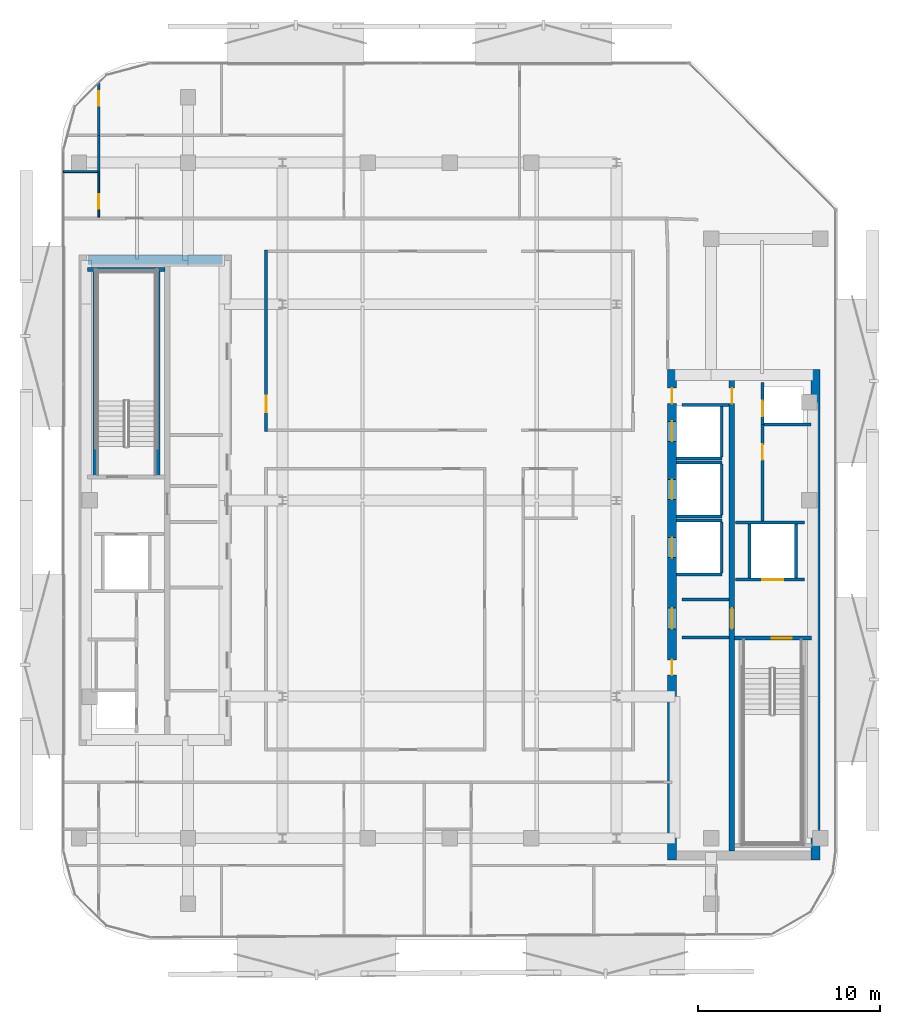
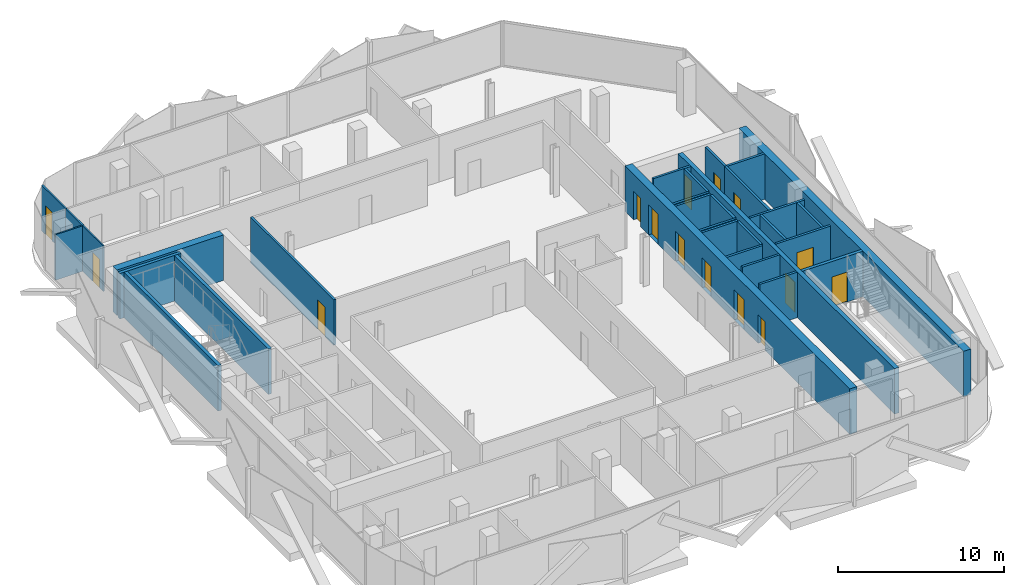
# One storey, part 5 of 15: 31 walls, 15 doors, 15 openings.
"""IFC4 building model written with IfcOpenShell, lengths in metres."""

from ifc_helpers import new_model, si_unit, direction, frame, frame_2d, origin, place, context, subcontext, project, spatial, rectangle, extrude, material, layer, layer_set, type_object, element, fill, save


model = new_model("IFC4")

# Units and contexts
model_context = context("Model", 3, precision=1e-05, world=origin(), true_north=direction((0.0, 1.0)))
body_context = subcontext(model_context, "Body", "Model", "MODEL_VIEW")
ifc_project = project(units=[si_unit("LENGTHUNIT", "METRE"), si_unit("AREAUNIT", "SQUARE_METRE"), si_unit("VOLUMEUNIT", "CUBIC_METRE"), si_unit("PLANEANGLEUNIT", "RADIAN"), si_unit("MASSUNIT", "GRAM", prefix="KILO")], contexts=[model_context])

# Site, building, storey
site_placement = place(None, origin())
site = spatial("IfcSite", under=ifc_project, at=site_placement, CompositionType="ELEMENT")
building_placement = place(site_placement, origin())
building = spatial("IfcBuilding", under=site, at=building_placement, Name="Khairoan Windgate Tower", CompositionType="ELEMENT")
storey_placement = place(building_placement, frame((0.0, 0.0, 265.60009765625)))
storey = spatial("IfcBuildingStorey", under=building, at=storey_placement, Name="L63", CompositionType="ELEMENT", Elevation=265.60009765625)

# Wall
ifc_material_1 = material(Name="Moisture-Resistant Gypsum Partition", Category="gypsum")
ifc_layer_1 = layer(ifc_material_1, 0.10009765625, Name="Moisture-Resistant Gypsum Partition")
ifc_layer_set_1 = layer_set([ifc_layer_1], Name="Moisture-Resistant Gypsum Partition")
wall_type_1 = type_object("IfcWallType", Name="Bathroom Wet-Area Partition Wall", PredefinedType="PARTITIONING", material=ifc_layer_set_1)
wall_1_placement = place(storey_placement, frame((-21.2548828125, 18.10009765625, 0.0), z_axis=(0.0, 0.0, 1.0), x_axis=(1.0, 0.0, 0.0)))
element("IfcWall", 1, at=wall_1_placement, inside=storey, type_object=wall_type_1, Name="L63 Interior Partition 035", PredefinedType="PARTITIONING", context=body_context, shape_type="SweptSolid", body=[
    extrude(rectangle(XDim=1.894775390625, YDim=0.10009765625, at=frame_2d((0.947265625, 0.0))), origin(), (0.0, 0.0, 1.0), 3.33984375),
])

# Wall, opening, door
wall_2_placement = place(storey_placement, frame((-19.31005859375, 15.60009765625, 0.0), z_axis=(0.0, 0.0, 1.0), x_axis=(0.0, 1.0, 0.0)))
wall_2 = element("IfcWall", 2, at=wall_2_placement, inside=storey, type_object=wall_type_1, Name="L63 Interior Partition 036", PredefinedType="PARTITIONING", context=body_context, shape_type="SweptSolid", body=[
    extrude(rectangle(XDim=2.5, YDim=0.10009765625, at=frame_2d((1.25, 0.0))), origin(), (0.0, 0.0, 1.0), 3.33984375),
])
opening_1_placement = place(wall_2_placement, frame((0.4599609375, 0.0, 0.0)))
opening_1 = element("IfcOpeningElement", 3, at=opening_1_placement, cuts=wall_2, Name="Opening ID-BTH", PredefinedType="OPENING", context=body_context, shape_type="SweptSolid", body=[
    extrude(rectangle(XDim=0.800048828125, YDim=2.10009765625, at=frame_2d((0.39990234375, 1.050048828125))), frame((0.0, 0.06005859375, 0.0), z_axis=(0.0, -1.0, 0.0), x_axis=(1.0, 0.0, 0.0)), (0.0, 0.0, 1.0), 0.1201171875),
])
ifc_material_2 = material(Name="Teak Veneer Timber Leaf", Category="wood")
door_type_1 = type_object("IfcDoorType", Name="Internal Bathroom Door ID-BTH 800x2100", OperationType="NOTDEFINED", PredefinedType="DOOR", material=ifc_material_2)
door_1_placement = place(opening_1_placement, origin())
door_1 = element("IfcDoor", 4, at=door_1_placement, inside=storey, type_object=door_type_1, Name="L63 L63-32-L63-34 Door", OperationType="SINGLE_SWING_LEFT", OverallHeight=2.10009765625, OverallWidth=0.800048828125, PredefinedType="DOOR", context=body_context, shape_type="SweptSolid", body=[
    extrude(rectangle(XDim=0.800048828125, YDim=2.10009765625, at=frame_2d((0.39990234375, 1.050048828125))), frame((0.0, 0.02490234375, 0.0), z_axis=(0.0, -1.0, 0.0), x_axis=(1.0, 0.0, 0.0)), (0.0, 0.0, 1.0), 0.050048828125),
])
fill(opening_1, door_1)

# Walls
ifc_material_3 = material(Name="Concrete C40/50", Category="concrete")
ifc_layer_2 = layer(ifc_material_3, 0.159912109375, Name="Concrete C40/50")
ifc_layer_set_2 = layer_set([ifc_layer_2], Name="Concrete C40/50")
wall_type_2 = type_object("IfcWallType", Name="Core and Hoistway Enclosure Wall", PredefinedType="STANDARD", material=ifc_layer_set_2)
wall_3_placement = place(storey_placement, frame((12.5, 2.31005859375, 0.0), z_axis=(0.0, 0.0, 1.0), x_axis=(1.0, 0.0, 0.0)))
element("IfcWall", 5, at=wall_3_placement, inside=storey, type_object=wall_type_2, Name="L63 Lift PL7 Hoistway Divider S", PredefinedType="STANDARD", context=body_context, shape_type="SweptSolid", body=[
    extrude(rectangle(XDim=2.489990234375, YDim=0.159912109375, at=frame_2d((1.2451171875, 0.0))), origin(), (0.0, 0.0, 1.0), 3.33984375),
])
wall_4_placement = place(storey_placement, frame((14.989990234375, 2.39990234375, 0.0), z_axis=(0.0, 0.0, 1.0), x_axis=(0.0, 1.0, 0.0)))
element("IfcWall", 6, at=wall_4_placement, inside=storey, type_object=wall_type_2, Name="L63 Lift PL7 Hoistway Back Wall", PredefinedType="STANDARD", context=body_context, shape_type="SweptSolid", body=[
    extrude(rectangle(XDim=2.800048828125, YDim=0.159912109375, at=frame_2d((1.39990234375, 0.0))), origin(), (0.0, 0.0, 1.0), 3.33984375),
])
for number, where, z_axis, x_axis, name in (
    (7, (12.5, -0.889892578125, 0.0), (0.0, 0.0, 1.0), (1.0, 0.0, 0.0), "L63 Lift PL8 Hoistway Divider S"),
    (8, (12.5, 2.090087890625, 0.0), (0.0, 0.0, 1.0), (1.0, 0.0, 0.0), "L63 Lift PL8 Hoistway Divider N"),
):
    element("IfcWall", number, at=place(storey_placement, frame(where, z_axis=z_axis, x_axis=x_axis)), inside=storey, type_object=wall_type_2, Name=name, PredefinedType="STANDARD", context=body_context, shape_type="SweptSolid", body=[
        extrude(rectangle(XDim=2.489990234375, YDim=0.159912109375, at=frame_2d((1.2451171875, 0.0))), origin(), (0.0, 0.0, 1.0), 3.33984375),
    ])
wall_5_placement = place(storey_placement, frame((14.989990234375, -0.800048828125, 0.0), z_axis=(0.0, 0.0, 1.0), x_axis=(0.0, 1.0, 0.0)))
element("IfcWall", 9, at=wall_5_placement, inside=storey, type_object=wall_type_2, Name="L63 Lift PL8 Hoistway Back Wall", PredefinedType="STANDARD", context=body_context, shape_type="SweptSolid", body=[
    extrude(rectangle(XDim=2.800048828125, YDim=0.159912109375, at=frame_2d((1.39990234375, 0.0))), origin(), (0.0, 0.0, 1.0), 3.33984375),
])
for number, where, z_axis, x_axis, name in (
    (10, (12.5, -4.090087890625, 0.0), (0.0, 0.0, 1.0), (1.0, 0.0, 0.0), "L63 Lift PL9 Hoistway Divider S"),
    (11, (12.5, -1.110107421875, 0.0), (0.0, 0.0, 1.0), (1.0, 0.0, 0.0), "L63 Lift PL9 Hoistway Divider N"),
):
    element("IfcWall", number, at=place(storey_placement, frame(where, z_axis=z_axis, x_axis=x_axis)), inside=storey, type_object=wall_type_2, Name=name, PredefinedType="STANDARD", context=body_context, shape_type="SweptSolid", body=[
        extrude(rectangle(XDim=2.489990234375, YDim=0.159912109375, at=frame_2d((1.2451171875, 0.0))), origin(), (0.0, 0.0, 1.0), 3.33984375),
    ])
wall_6_placement = place(storey_placement, frame((14.989990234375, -4.0, 0.0), z_axis=(0.0, 0.0, 1.0), x_axis=(0.0, 1.0, 0.0)))
element("IfcWall", 12, at=wall_6_placement, inside=storey, type_object=wall_type_2, Name="L63 Lift PL9 Hoistway Back Wall", PredefinedType="STANDARD", context=body_context, shape_type="SweptSolid", body=[
    extrude(rectangle(XDim=2.800048828125, YDim=0.159912109375, at=frame_2d((1.39990234375, 0.0))), origin(), (0.0, 0.0, 1.0), 3.33984375),
])

# Wall, opening, door
wall_7_placement = place(storey_placement, frame((15.75, -4.360107421875, 0.0), z_axis=(0.0, 0.0, 1.0), x_axis=(1.0, 0.0, 0.0)))
wall_7 = element("IfcWall", 13, at=wall_7_placement, inside=storey, type_object=wall_type_2, Name="L63 Core Shaft Wall SW-FL1-L63", PredefinedType="STANDARD", context=body_context, shape_type="SweptSolid", body=[
    extrude(rectangle(XDim=3.800048828125, YDim=0.159912109375, at=frame_2d((1.89990234375, 0.0))), origin(), (0.0, 0.0, 1.0), 3.33984375),
])
opening_2_placement = place(wall_7_placement, frame((1.469970703125, 0.0, 0.0)))
opening_2 = element("IfcOpeningElement", 14, at=opening_2_placement, cuts=wall_7, Name="Opening LD-FL", PredefinedType="OPENING", context=body_context, shape_type="SweptSolid", body=[
    extrude(rectangle(XDim=1.14990234375, YDim=2.199951171875, at=frame_2d((0.574951171875, 1.10009765625))), frame((0.0, 0.08984375, 0.0), z_axis=(0.0, -1.0, 0.0), x_axis=(1.0, 0.0, 0.0)), (0.0, 0.0, 1.0), 0.179931640625),
])
ifc_material_4 = material(Name="Steel S355", Category="steel")
door_type_2 = type_object("IfcDoorType", Name="Firefighting Lift Sliding Landing Door LD-FL 1150x2200", OperationType="DOUBLE_DOOR_SLIDING", PredefinedType="DOOR", material=ifc_material_4)
door_2_placement = place(opening_2_placement, origin())
door_2 = element("IfcDoor", 15, at=door_2_placement, inside=storey, type_object=door_type_2, Name="L63 Firefighting Lift FL1 Landing Door", OperationType="DOUBLE_DOOR_SLIDING", OverallHeight=2.199951171875, OverallWidth=1.14990234375, PredefinedType="DOOR", context=body_context, shape_type="SweptSolid", body=[
    extrude(rectangle(XDim=1.14990234375, YDim=2.199951171875, at=frame_2d((0.574951171875, 1.10009765625))), frame((0.0, 0.02490234375, 0.0), z_axis=(0.0, -1.0, 0.0), x_axis=(1.0, 0.0, 0.0)), (0.0, 0.0, 1.0), 0.050048828125),
])
fill(opening_2, door_2)

# Walls
wall_8_placement = place(storey_placement, frame((15.75, -1.219970703125, 0.0), z_axis=(0.0, 0.0, 1.0), x_axis=(1.0, 0.0, 0.0)))
element("IfcWall", 16, at=wall_8_placement, inside=storey, type_object=wall_type_2, Name="L63 Core Shaft Wall SW-FL1T-L63", PredefinedType="STANDARD", context=body_context, shape_type="SweptSolid", body=[
    extrude(rectangle(XDim=3.800048828125, YDim=0.159912109375, at=frame_2d((1.89990234375, 0.0))), origin(), (0.0, 0.0, 1.0), 3.33984375),
])
for number, where, z_axis, x_axis, name in (
    (17, (16.52001953125, -4.280029296875, 0.0), (0.0, 0.0, 1.0), (0.0, 1.0, 0.0), "L63 Core Shaft Wall SW-FL1W-L63"),
    (18, (19.080078125, -4.280029296875, 0.0), (0.0, 0.0, 1.0), (0.0, 1.0, 0.0), "L63 Core Shaft Wall SW-FL1E-L63"),
):
    element("IfcWall", number, at=place(storey_placement, frame(where, z_axis=z_axis, x_axis=x_axis)), inside=storey, type_object=wall_type_2, Name=name, PredefinedType="STANDARD", context=body_context, shape_type="SweptSolid", body=[
        extrude(rectangle(XDim=2.97998046875, YDim=0.159912109375, at=frame_2d((1.489990234375, 0.0))), origin(), (0.0, 0.0, 1.0), 3.33984375),
    ])
for number, where, z_axis, x_axis, name in (
    (19, (12.800048828125, -5.449951171875, 0.0), (0.0, 0.0, 1.0), (1.0, 0.0, 0.0), "L63 Core Shaft Wall SW-EV1-L63"),
    (20, (12.800048828125, -7.5400390625, 0.0), (0.0, 0.0, 1.0), (1.0, 0.0, 0.0), "L63 Core Shaft Wall SW-EV2-L63"),
    (21, (12.800048828125, 5.25, 0.0), (0.0, 0.0, 1.0), (1.0, 0.0, 0.0), "L63 Core Shaft Wall SW-ESV-L63"),
):
    element("IfcWall", number, at=place(storey_placement, frame(where, z_axis=z_axis, x_axis=x_axis)), inside=storey, type_object=wall_type_2, Name=name, PredefinedType="STANDARD", context=body_context, shape_type="SweptSolid", body=[
        extrude(rectangle(XDim=2.599853515625, YDim=0.159912109375, at=frame_2d((1.2998046875, 0.0))), origin(), (0.0, 0.0, 1.0), 3.33984375),
    ])
ifc_material_5 = material(Name="Gypsum Stud Partition", Category="gypsum")
ifc_layer_3 = layer(ifc_material_5, 0.1201171875, Name="Gypsum Stud Partition")
ifc_layer_set_3 = layer_set([ifc_layer_3], Name="Gypsum Stud Partition")
wall_type_3 = type_object("IfcWallType", Name="Internal Room Partition Wall", PredefinedType="PARTITIONING", material=ifc_layer_set_3)
wall_9_placement = place(storey_placement, frame((-19.31005859375, 18.10009765625, 0.0), z_axis=(0.0, 0.0, 1.0), x_axis=(0.0, 1.0, 0.0)))
element("IfcWall", 22, at=wall_9_placement, inside=storey, type_object=wall_type_3, Name="L63 Interior Partition 037", PredefinedType="PARTITIONING", context=body_context, shape_type="SweptSolid", body=[
    extrude(rectangle(XDim=2.0, YDim=0.1201171875, at=frame_2d((1.0, 0.0))), origin(), (0.0, 0.0, 1.0), 3.33984375),
])

# Wall, opening, door
wall_10_placement = place(storey_placement, frame((-19.31005859375, 20.10009765625, 0.0), z_axis=(0.0, 0.0, 1.0), x_axis=(0.0, 1.0, 0.0)))
wall_10 = element("IfcWall", 23, at=wall_10_placement, inside=storey, type_object=wall_type_3, Name="L63 Interior Partition 038", PredefinedType="PARTITIONING", context=body_context, shape_type="SweptSolid", body=[
    extrude(rectangle(XDim=2.885498046875, YDim=0.1201171875, at=frame_2d((1.44287109375, 0.0))), origin(), (0.0, 0.0, 1.0), 3.33984375),
])
opening_3_placement = place(wall_10_placement, frame((1.62548828125, 0.0, 0.0)))
opening_3 = element("IfcOpeningElement", 24, at=opening_3_placement, cuts=wall_10, Name="Opening ID-BTH", PredefinedType="OPENING", context=body_context, shape_type="SweptSolid", body=[
    extrude(rectangle(XDim=0.800048828125, YDim=2.10009765625, at=frame_2d((0.39990234375, 1.050048828125))), frame((0.0, 0.070068359375, 0.0), z_axis=(0.0, -1.0, 0.0), x_axis=(1.0, 0.0, 0.0)), (0.0, 0.0, 1.0), 0.14013671875),
])
door_3_placement = place(opening_3_placement, origin())
door_3 = element("IfcDoor", 25, at=door_3_placement, inside=storey, type_object=door_type_1, Name="L63 L63-33-L63-37 Door", OperationType="SINGLE_SWING_RIGHT", OverallHeight=2.10009765625, OverallWidth=0.800048828125, PredefinedType="DOOR", context=body_context, shape_type="SweptSolid", body=[
    extrude(rectangle(XDim=0.800048828125, YDim=2.10009765625, at=frame_2d((0.39990234375, 1.050048828125))), frame((0.0, 0.02490234375, 0.0), z_axis=(0.0, -1.0, 0.0), x_axis=(1.0, 0.0, 0.0)), (0.0, 0.0, 1.0), 0.050048828125),
])
fill(opening_3, door_3)

ifc_material_6 = material(Name="Concrete C40/50", Category="concrete")
ifc_layer_4 = layer(ifc_material_6, 0.159912109375, Name="Concrete C40/50")
ifc_layer_set_4 = layer_set([ifc_layer_4], Name="Concrete C40/50")
wall_type_4 = type_object("IfcWallType", Name="Plant and Refuge Compartment Wall", PredefinedType="PARTITIONING", material=ifc_layer_set_4)
wall_11_placement = place(storey_placement, frame((17.22998046875, 4.169921875, 0.0), z_axis=(0.0, 0.0, 1.0), x_axis=(0.0, 1.0, 0.0)))
wall_11 = element("IfcWall", 26, at=wall_11_placement, inside=storey, type_object=wall_type_4, Name="L63 Interior Partition 008", PredefinedType="PARTITIONING", context=body_context, shape_type="SweptSolid", body=[
    extrude(rectangle(XDim=2.320068359375, YDim=0.159912109375, at=frame_2d((1.16015625, 0.0))), origin(), (0.0, 0.0, 1.0), 3.33984375),
])
opening_4_placement = place(wall_11_placement, frame((0.4599609375, 0.0, 0.0)))
opening_4 = element("IfcOpeningElement", 27, at=opening_4_placement, cuts=wall_11, Name="Opening FD-SRV", PredefinedType="OPENING", context=body_context, shape_type="SweptSolid", body=[
    extrude(rectangle(XDim=0.85009765625, YDim=2.10009765625, at=frame_2d((0.425048828125, 1.050048828125))), frame((0.0, 0.08984375, 0.0), z_axis=(0.0, -1.0, 0.0), x_axis=(1.0, 0.0, 0.0)), (0.0, 0.0, 1.0), 0.179931640625),
])
ifc_material_7 = material(Name="Steel S355", Category="steel")
door_type_3 = type_object("IfcDoorType", Name="Core Service and Riser Fire Door FD-SRV 850x2100", OperationType="NOTDEFINED", PredefinedType="DOOR", material=ifc_material_7)
door_4_placement = place(opening_4_placement, origin())
door_4 = element("IfcDoor", 28, at=door_4_placement, inside=storey, type_object=door_type_3, Name="L63 L63-17-L63-18 Door", OperationType="SINGLE_SWING_LEFT", OverallHeight=2.10009765625, OverallWidth=0.85009765625, PredefinedType="DOOR", context=body_context, shape_type="SweptSolid", body=[
    extrude(rectangle(XDim=0.85009765625, YDim=2.10009765625, at=frame_2d((0.425048828125, 1.050048828125))), frame((0.0, 0.02490234375, 0.0), z_axis=(0.0, -1.0, 0.0), x_axis=(1.0, 0.0, 0.0)), (0.0, 0.0, 1.0), 0.050048828125),
])
fill(opening_4, door_4)

wall_12_placement = place(storey_placement, frame((17.22998046875, -1.139892578125, 0.0), z_axis=(0.0, 0.0, 1.0), x_axis=(0.0, 1.0, 0.0)))
wall_12 = element("IfcWall", 29, at=wall_12_placement, inside=storey, type_object=wall_type_4, Name="L63 Interior Partition 009", PredefinedType="PARTITIONING", context=body_context, shape_type="SweptSolid", body=[
    extrude(rectangle(XDim=5.309814453125, YDim=0.159912109375, at=frame_2d((2.65478515625, 0.0))), origin(), (0.0, 0.0, 1.0), 3.33984375),
])
opening_5_placement = place(wall_12_placement, frame((3.375244140625, 0.0, 0.0)))
opening_5 = element("IfcOpeningElement", 30, at=opening_5_placement, cuts=wall_12, Name="Opening FD-SRV", PredefinedType="OPENING", context=body_context, shape_type="SweptSolid", body=[
    extrude(rectangle(XDim=0.85009765625, YDim=2.10009765625, at=frame_2d((0.425048828125, 1.050048828125))), frame((0.0, 0.08984375, 0.0), z_axis=(0.0, -1.0, 0.0), x_axis=(1.0, 0.0, 0.0)), (0.0, 0.0, 1.0), 0.179931640625),
])
door_5_placement = place(opening_5_placement, origin())
door_5 = element("IfcDoor", 31, at=door_5_placement, inside=storey, type_object=door_type_3, Name="L63 L63-17-L63-19 Door", OperationType="SINGLE_SWING_RIGHT", OverallHeight=2.10009765625, OverallWidth=0.85009765625, PredefinedType="DOOR", context=body_context, shape_type="SweptSolid", body=[
    extrude(rectangle(XDim=0.85009765625, YDim=2.10009765625, at=frame_2d((0.425048828125, 1.050048828125))), frame((0.0, 0.02490234375, 0.0), z_axis=(0.0, -1.0, 0.0), x_axis=(1.0, 0.0, 0.0)), (0.0, 0.0, 1.0), 0.050048828125),
])
fill(opening_5, door_5)

# Wall
wall_13_placement = place(storey_placement, frame((17.31005859375, 4.169921875, 0.0), z_axis=(0.0, 0.0, 1.0), x_axis=(1.0, 0.0, 0.0)))
element("IfcWall", 32, at=wall_13_placement, inside=storey, type_object=wall_type_4, Name="L63 Interior Partition 010", PredefinedType="PARTITIONING", context=body_context, shape_type="SweptSolid", body=[
    extrude(rectangle(XDim=2.58984375, YDim=0.159912109375, at=frame_2d((1.294921875, 0.0))), origin(), (0.0, 0.0, 1.0), 3.33984375),
])

# Wall, opening, door
ifc_material_8 = material(Name="Acoustic Fire-Rated Gypsum Partition", Category="gypsum")
ifc_layer_5 = layer(ifc_material_8, 0.14990234375, Name="Acoustic Fire-Rated Gypsum Partition")
ifc_layer_set_5 = layer_set([ifc_layer_5], Name="Acoustic Fire-Rated Gypsum Partition")
wall_type_5 = type_object("IfcWallType", Name="Rated Corridor Partition Wall", PredefinedType="PARTITIONING", material=ifc_layer_set_5)
wall_14_placement = place(storey_placement, frame((-10.10009765625, 3.7900390625, 0.0), z_axis=(0.0, 0.0, 1.0), x_axis=(0.0, 1.0, 0.0)))
wall_14 = element("IfcWall", 33, at=wall_14_placement, inside=storey, type_object=wall_type_5, Name="L63 Interior Partition 011", PredefinedType="PARTITIONING", context=body_context, shape_type="SweptSolid", body=[
    extrude(rectangle(XDim=10.0048828125, YDim=0.14990234375, at=frame_2d((5.00244140625, 0.0))), origin(), (0.0, 0.0, 1.0), 3.33984375),
])
opening_6_placement = place(wall_14_placement, frame((1.073974609375, 0.0, 0.0)))
opening_6 = element("IfcOpeningElement", 34, at=opening_6_placement, cuts=wall_14, Name="Opening FD-ENT", PredefinedType="OPENING", context=body_context, shape_type="SweptSolid", body=[
    extrude(rectangle(XDim=0.89990234375, YDim=2.14990234375, at=frame_2d((0.449951171875, 1.074951171875))), frame((0.0, 0.0849609375, 0.0), z_axis=(0.0, -1.0, 0.0), x_axis=(1.0, 0.0, 0.0)), (0.0, 0.0, 1.0), 0.169921875),
])
ifc_material_9 = material(Name="Timber Fire-Rated Core", Category="wood")
door_type_4 = type_object("IfcDoorType", Name="Unit and Office Fire Entrance Door FD-ENT 900x2150", OperationType="NOTDEFINED", PredefinedType="DOOR", material=ifc_material_9)
door_6_placement = place(opening_6_placement, origin())
door_6 = element("IfcDoor", 35, at=door_6_placement, inside=storey, type_object=door_type_4, Name="L63 L63-26-L63-52 Door", OperationType="SINGLE_SWING_LEFT", OverallHeight=2.14990234375, OverallWidth=0.89990234375, PredefinedType="DOOR", context=body_context, shape_type="SweptSolid", body=[
    extrude(rectangle(XDim=0.89990234375, YDim=2.14990234375, at=frame_2d((0.449951171875, 1.074951171875))), frame((0.0, 0.02490234375, 0.0), z_axis=(0.0, -1.0, 0.0), x_axis=(1.0, 0.0, 0.0)), (0.0, 0.0, 1.0), 0.050048828125),
])
fill(opening_6, door_6)

# Wall, openings, doors
ifc_material_10 = material(Name="Concrete C50/60", Category="concrete")
ifc_layer_6 = layer(ifc_material_10, 0.5, Name="Concrete C50/60")
ifc_layer_set_6 = layer_set([ifc_layer_6], Name="Concrete C50/60")
wall_type_6 = type_object("IfcWallType", Name="Shear Wall CW-E3 500mm", PredefinedType="SHEAR", material=ifc_layer_set_6)
wall_15_placement = place(storey_placement, frame((12.25, -19.800048828125, 0.0), z_axis=(0.0, 0.0, 1.0), x_axis=(0.0, 1.0, 0.0)))
wall_15 = element("IfcWall", 36, at=wall_15_placement, inside=storey, type_object=wall_type_6, Name="E Core West Shear Wall L63", PredefinedType="SHEAR", context=body_context, shape_type="SweptSolid", body=[
    extrude(rectangle(XDim=27.0, YDim=0.5, at=frame_2d((13.5, 0.0))), origin(), (0.0, 0.0, 1.0), 3.33984375),
])
opening_7_placement = place(wall_15_placement, frame((23.050048828125, 0.0, 0.0)))
opening_7 = element("IfcOpeningElement", 37, at=opening_7_placement, cuts=wall_15, Name="Opening LD-PL", PredefinedType="OPENING", context=body_context, shape_type="SweptSolid", body=[
    extrude(rectangle(XDim=1.10009765625, YDim=2.199951171875, at=frame_2d((0.550048828125, 1.10009765625))), frame((0.0, 0.260009765625, 0.0), z_axis=(0.0, -1.0, 0.0), x_axis=(1.0, 0.0, 0.0)), (0.0, 0.0, 1.0), 0.52001953125),
])
opening_8_placement = place(wall_15_placement, frame((19.85009765625, 0.0, 0.0)))
opening_8 = element("IfcOpeningElement", 38, at=opening_8_placement, cuts=wall_15, Name="Opening LD-PL", PredefinedType="OPENING", context=body_context, shape_type="SweptSolid", body=[
    extrude(rectangle(XDim=1.10009765625, YDim=2.199951171875, at=frame_2d((0.550048828125, 1.10009765625))), frame((0.0, 0.260009765625, 0.0), z_axis=(0.0, -1.0, 0.0), x_axis=(1.0, 0.0, 0.0)), (0.0, 0.0, 1.0), 0.52001953125),
])
opening_9_placement = place(wall_15_placement, frame((16.64990234375, 0.0, 0.0)))
opening_9 = element("IfcOpeningElement", 39, at=opening_9_placement, cuts=wall_15, Name="Opening LD-PL", PredefinedType="OPENING", context=body_context, shape_type="SweptSolid", body=[
    extrude(rectangle(XDim=1.10009765625, YDim=2.199951171875, at=frame_2d((0.550048828125, 1.10009765625))), frame((0.0, 0.260009765625, 0.0), z_axis=(0.0, -1.0, 0.0), x_axis=(1.0, 0.0, 0.0)), (0.0, 0.0, 1.0), 0.52001953125),
])
opening_10_placement = place(wall_15_placement, frame((10.175048828125, 0.0, 0.0)))
opening_10 = element("IfcOpeningElement", 40, at=opening_10_placement, cuts=wall_15, Name="Opening FD-SRV", PredefinedType="OPENING", context=body_context, shape_type="SweptSolid", body=[
    extrude(rectangle(XDim=0.85009765625, YDim=2.10009765625, at=frame_2d((0.425048828125, 1.050048828125))), frame((0.0, 0.260009765625, 0.0), z_axis=(0.0, -1.0, 0.0), x_axis=(1.0, 0.0, 0.0)), (0.0, 0.0, 1.0), 0.52001953125),
])
opening_11_placement = place(wall_15_placement, frame((12.72509765625, 0.0, 0.0)))
opening_11 = element("IfcOpeningElement", 41, at=opening_11_placement, cuts=wall_15, Name="Opening FD-FFL", PredefinedType="OPENING", context=body_context, shape_type="SweptSolid", body=[
    extrude(rectangle(XDim=1.14990234375, YDim=2.199951171875, at=frame_2d((0.574951171875, 1.10009765625))), frame((0.0, 0.260009765625, 0.0), z_axis=(0.0, -1.0, 0.0), x_axis=(1.0, 0.0, 0.0)), (0.0, 0.0, 1.0), 0.52001953125),
])
opening_12_placement = place(wall_15_placement, frame((25.125, 0.0, 0.0)))
opening_12 = element("IfcOpeningElement", 42, at=opening_12_placement, cuts=wall_15, Name="Opening FD-SRV", PredefinedType="OPENING", context=body_context, shape_type="SweptSolid", body=[
    extrude(rectangle(XDim=0.85009765625, YDim=2.10009765625, at=frame_2d((0.425048828125, 1.050048828125))), frame((0.0, 0.260009765625, 0.0), z_axis=(0.0, -1.0, 0.0), x_axis=(1.0, 0.0, 0.0)), (0.0, 0.0, 1.0), 0.52001953125),
])
door_7_placement = place(opening_10_placement, origin())
door_7 = element("IfcDoor", 43, at=door_7_placement, inside=storey, type_object=door_type_3, Name="L63 East Core Service Room Door 1", OperationType="SINGLE_SWING_LEFT", OverallHeight=2.10009765625, OverallWidth=0.85009765625, PredefinedType="DOOR", context=body_context, shape_type="SweptSolid", body=[
    extrude(rectangle(XDim=0.85009765625, YDim=2.10009765625, at=frame_2d((0.425048828125, 1.050048828125))), frame((0.0, 0.02490234375, 0.0), z_axis=(0.0, -1.0, 0.0), x_axis=(1.0, 0.0, 0.0)), (0.0, 0.0, 1.0), 0.050048828125),
])
fill(opening_10, door_7)
door_8_placement = place(opening_12_placement, origin())
door_8 = element("IfcDoor", 44, at=door_8_placement, inside=storey, type_object=door_type_3, Name="L63 East Core Service Vestibule Outer Door", OperationType="SINGLE_SWING_RIGHT", OverallHeight=2.10009765625, OverallWidth=0.85009765625, PredefinedType="DOOR", context=body_context, shape_type="SweptSolid", body=[
    extrude(rectangle(XDim=0.85009765625, YDim=2.10009765625, at=frame_2d((0.425048828125, 1.050048828125))), frame((0.0, 0.02490234375, 0.0), z_axis=(0.0, -1.0, 0.0), x_axis=(1.0, 0.0, 0.0)), (0.0, 0.0, 1.0), 0.050048828125),
])
fill(opening_12, door_8)
ifc_material_11 = material(Name="Steel S355", Category="steel")
door_type_5 = type_object("IfcDoorType", Name="Firefighting Lobby Fire Door FD-FFL 1150x2200", OperationType="NOTDEFINED", PredefinedType="DOOR", material=ifc_material_11)
door_9_placement = place(opening_11_placement, origin())
door_9 = element("IfcDoor", 45, at=door_9_placement, inside=storey, type_object=door_type_5, Name="L63 East Core Vestibule Entry Door", OperationType="SINGLE_SWING_RIGHT", OverallHeight=2.199951171875, OverallWidth=1.14990234375, PredefinedType="DOOR", context=body_context, shape_type="SweptSolid", body=[
    extrude(rectangle(XDim=1.14990234375, YDim=2.199951171875, at=frame_2d((0.574951171875, 1.10009765625))), frame((0.0, 0.02490234375, 0.0), z_axis=(0.0, -1.0, 0.0), x_axis=(1.0, 0.0, 0.0)), (0.0, 0.0, 1.0), 0.050048828125),
])
fill(opening_11, door_9)
ifc_material_12 = material(Name="Anodised Bronze Aluminium 6063-T6", Category="aluminium")
door_type_6 = type_object("IfcDoorType", Name="Passenger Lift Sliding Landing Door LD-PL 1100x2200", OperationType="DOUBLE_DOOR_SLIDING", PredefinedType="DOOR", material=ifc_material_12)
door_10_placement = place(opening_7_placement, origin())
door_10 = element("IfcDoor", 46, at=door_10_placement, inside=storey, type_object=door_type_6, Name="L63 Lift PL7 Sliding Landing Door", OperationType="DOUBLE_DOOR_SLIDING", OverallHeight=2.199951171875, OverallWidth=1.10009765625, PredefinedType="DOOR", context=body_context, shape_type="SweptSolid", body=[
    extrude(rectangle(XDim=1.10009765625, YDim=2.199951171875, at=frame_2d((0.550048828125, 1.10009765625))), frame((0.0, 0.02490234375, 0.0), z_axis=(0.0, -1.0, 0.0), x_axis=(1.0, 0.0, 0.0)), (0.0, 0.0, 1.0), 0.050048828125),
])
fill(opening_7, door_10)
door_11_placement = place(opening_8_placement, origin())
door_11 = element("IfcDoor", 47, at=door_11_placement, inside=storey, type_object=door_type_6, Name="L63 Lift PL8 Sliding Landing Door", OperationType="DOUBLE_DOOR_SLIDING", OverallHeight=2.199951171875, OverallWidth=1.10009765625, PredefinedType="DOOR", context=body_context, shape_type="SweptSolid", body=[
    extrude(rectangle(XDim=1.10009765625, YDim=2.199951171875, at=frame_2d((0.550048828125, 1.10009765625))), frame((0.0, 0.02490234375, 0.0), z_axis=(0.0, -1.0, 0.0), x_axis=(1.0, 0.0, 0.0)), (0.0, 0.0, 1.0), 0.050048828125),
])
fill(opening_8, door_11)
door_12_placement = place(opening_9_placement, origin())
door_12 = element("IfcDoor", 48, at=door_12_placement, inside=storey, type_object=door_type_6, Name="L63 Lift PL9 Sliding Landing Door", OperationType="DOUBLE_DOOR_SLIDING", OverallHeight=2.199951171875, OverallWidth=1.10009765625, PredefinedType="DOOR", context=body_context, shape_type="SweptSolid", body=[
    extrude(rectangle(XDim=1.10009765625, YDim=2.199951171875, at=frame_2d((0.550048828125, 1.10009765625))), frame((0.0, 0.02490234375, 0.0), z_axis=(0.0, -1.0, 0.0), x_axis=(1.0, 0.0, 0.0)), (0.0, 0.0, 1.0), 0.050048828125),
])
fill(opening_9, door_12)

# Walls
wall_16_placement = place(storey_placement, frame((20.14990234375, -19.800048828125, 0.0), z_axis=(0.0, 0.0, 1.0), x_axis=(0.0, 1.0, 0.0)))
element("IfcWall", 49, at=wall_16_placement, inside=storey, type_object=wall_type_6, Name="E Core East Shear Wall L63", PredefinedType="SHEAR", context=body_context, shape_type="SweptSolid", body=[
    extrude(rectangle(XDim=27.0, YDim=0.5, at=frame_2d((13.5, 0.0))), origin(), (0.0, 0.0, 1.0), 3.33984375),
])
ifc_material_13 = material(Name="Concrete C50/60", Category="concrete")
ifc_layer_7 = layer(ifc_material_13, 0.5, Name="Concrete C50/60")
ifc_layer_set_7 = layer_set([ifc_layer_7], Name="Concrete C50/60")
wall_type_7 = type_object("IfcWallType", Name="Shear Wall CW-W3 500mm", PredefinedType="SHEAR", material=ifc_layer_set_7)
wall_17_placement = place(storey_placement, frame((-19.89990234375, 13.25, 0.0), z_axis=(0.0, 0.0, 1.0), x_axis=(1.0, 0.0, 0.0)))
element("IfcWall", 50, at=wall_17_placement, inside=storey, type_object=wall_type_7, Name="W Core North Shear Wall L63", PredefinedType="SHEAR", context=body_context, shape_type="SweptSolid", body=[
    extrude(rectangle(XDim=7.39990234375, YDim=0.5, at=frame_2d((3.699951171875, 0.0))), origin(), (0.0, 0.0, 1.0), 3.33984375),
])

# Wall, openings, doors
ifc_material_14 = material(Name="Concrete C50/60", Category="concrete")
ifc_layer_8 = layer(ifc_material_14, 0.300048828125, Name="Concrete C50/60")
ifc_layer_set_8 = layer_set([ifc_layer_8], Name="Concrete C50/60")
wall_type_8 = type_object("IfcWallType", Name="Shear Wall SW-2 300mm", PredefinedType="SHEAR", material=ifc_layer_set_8)
wall_18_placement = place(storey_placement, frame((15.550048828125, -19.300048828125, 0.0), z_axis=(0.0, 0.0, 1.0), x_axis=(0.0, 1.0, 0.0)))
wall_18 = element("IfcWall", 51, at=wall_18_placement, inside=storey, type_object=wall_type_8, Name="E Core Spine Shear Wall L63", PredefinedType="SHEAR", context=body_context, shape_type="SweptSolid", body=[
    extrude(rectangle(XDim=26.0, YDim=0.300048828125, at=frame_2d((13.0, 0.0))), origin(), (0.0, 0.0, 1.0), 3.33984375),
])
opening_13_placement = place(wall_18_placement, frame((12.22509765625, 0.0, 0.0)))
opening_13 = element("IfcOpeningElement", 52, at=opening_13_placement, cuts=wall_18, Name="Opening FD-FFL", PredefinedType="OPENING", context=body_context, shape_type="SweptSolid", body=[
    extrude(rectangle(XDim=1.14990234375, YDim=2.199951171875, at=frame_2d((0.574951171875, 1.10009765625))), frame((0.0, 0.159912109375, 0.0), z_axis=(0.0, -1.0, 0.0), x_axis=(1.0, 0.0, 0.0)), (0.0, 0.0, 1.0), 0.320068359375),
])
opening_14_placement = place(wall_18_placement, frame((24.625, 0.0, 0.0)))
opening_14 = element("IfcOpeningElement", 53, at=opening_14_placement, cuts=wall_18, Name="Opening FD-SRV", PredefinedType="OPENING", context=body_context, shape_type="SweptSolid", body=[
    extrude(rectangle(XDim=0.85009765625, YDim=2.10009765625, at=frame_2d((0.425048828125, 1.050048828125))), frame((0.0, 0.159912109375, 0.0), z_axis=(0.0, -1.0, 0.0), x_axis=(1.0, 0.0, 0.0)), (0.0, 0.0, 1.0), 0.320068359375),
])
door_13_placement = place(opening_14_placement, origin())
door_13 = element("IfcDoor", 54, at=door_13_placement, inside=storey, type_object=door_type_3, Name="L63 East Core Service Passage Inner Door", OperationType="SINGLE_SWING_LEFT", OverallHeight=2.10009765625, OverallWidth=0.85009765625, PredefinedType="DOOR", context=body_context, shape_type="SweptSolid", body=[
    extrude(rectangle(XDim=0.85009765625, YDim=2.10009765625, at=frame_2d((0.425048828125, 1.050048828125))), frame((0.0, 0.02490234375, 0.0), z_axis=(0.0, -1.0, 0.0), x_axis=(1.0, 0.0, 0.0)), (0.0, 0.0, 1.0), 0.050048828125),
])
fill(opening_14, door_13)
door_14_placement = place(opening_13_placement, origin())
door_14 = element("IfcDoor", 55, at=door_14_placement, inside=storey, type_object=door_type_5, Name="L63 East Firefighting Lobby Fire Door", OperationType="SINGLE_SWING_LEFT", OverallHeight=2.199951171875, OverallWidth=1.14990234375, PredefinedType="DOOR", context=body_context, shape_type="SweptSolid", body=[
    extrude(rectangle(XDim=1.14990234375, YDim=2.199951171875, at=frame_2d((0.574951171875, 1.10009765625))), frame((0.0, 0.02490234375, 0.0), z_axis=(0.0, -1.0, 0.0), x_axis=(1.0, 0.0, 0.0)), (0.0, 0.0, 1.0), 0.050048828125),
])
fill(opening_13, door_14)

# Wall, opening, door
ifc_material_15 = material(Name="Concrete C50/60", Category="concrete")
ifc_layer_9 = layer(ifc_material_15, 0.219970703125, Name="Concrete C50/60")
ifc_layer_set_9 = layer_set([ifc_layer_9], Name="Concrete C50/60")
wall_type_9 = type_object("IfcWallType", Name="Shear Wall SW-ST 220mm", PredefinedType="SHEAR", material=ifc_layer_set_9)
wall_19_placement = place(storey_placement, frame((19.919921875, -7.590087890625, 0.0), z_axis=(0.0, 0.0, 1.0), x_axis=(-1.0, 0.0, 0.0)))
wall_19 = element("IfcWall", 56, at=wall_19_placement, inside=storey, type_object=wall_type_9, Name="L63 Stair ST1 North Bearing Wall", PredefinedType="SHEAR", context=body_context, shape_type="SweptSolid", body=[
    extrude(rectangle(XDim=4.239990234375, YDim=0.219970703125, at=frame_2d((2.1201171875, 0.0))), origin(), (0.0, 0.0, 1.0), 3.33984375),
])
opening_15_placement = place(wall_19_placement, frame((1.080078125, 0.0, 0.0)))
opening_15 = element("IfcOpeningElement", 57, at=opening_15_placement, cuts=wall_19, Name="Opening FD-ST", PredefinedType="OPENING", context=body_context, shape_type="SweptSolid", body=[
    extrude(rectangle(XDim=1.10009765625, YDim=2.199951171875, at=frame_2d((0.550048828125, 1.10009765625))), frame((0.0, 0.119873046875, 0.0), z_axis=(0.0, -1.0, 0.0), x_axis=(1.0, 0.0, 0.0)), (0.0, 0.0, 1.0), 0.239990234375),
])
ifc_material_16 = material(Name="Steel S355", Category="steel")
door_type_7 = type_object("IfcDoorType", Name="Smokeproof Stair Fire Door FD-ST 1100x2200", OperationType="NOTDEFINED", PredefinedType="DOOR", material=ifc_material_16)
door_15_placement = place(opening_15_placement, origin())
door_15 = element("IfcDoor", 58, at=door_15_placement, inside=storey, type_object=door_type_7, Name="L63 Stair ST1 Fire Door", OperationType="SINGLE_SWING_LEFT", OverallHeight=2.199951171875, OverallWidth=1.10009765625, PredefinedType="DOOR", context=body_context, shape_type="SweptSolid", body=[
    extrude(rectangle(XDim=1.10009765625, YDim=2.199951171875, at=frame_2d((0.550048828125, 1.10009765625))), frame((0.0, 0.02490234375, 0.0), z_axis=(0.0, -1.0, 0.0), x_axis=(1.0, 0.0, 0.0)), (0.0, 0.0, 1.0), 0.050048828125),
])
fill(opening_15, door_15)

# Walls
for number, where, z_axis, x_axis, name in (
    (59, (-16.0400390625, 1.2900390625, 0.0), (0.0, 0.0, 1.0), (0.0, 1.0, 0.0), "L63 Stair ST2 East Bearing Wall"),
    (60, (-19.530029296875, 1.2900390625, 0.0), (0.0, 0.0, 1.0), (0.0, 1.0, 0.0), "L63 Stair ST2 West Bearing Wall"),
):
    element("IfcWall", number, at=place(storey_placement, frame(where, z_axis=z_axis, x_axis=x_axis)), inside=storey, type_object=wall_type_9, Name=name, PredefinedType="SHEAR", context=body_context, shape_type="SweptSolid", body=[
        extrude(rectangle(XDim=11.419921875, YDim=0.219970703125, at=frame_2d((5.7099609375, 0.0))), origin(), (0.0, 0.0, 1.0), 3.33984375),
    ])
wall_20_placement = place(storey_placement, frame((-19.919921875, 12.7099609375, 0.0), z_axis=(0.0, 0.0, 1.0), x_axis=(1.0, 0.0, 0.0)))
element("IfcWall", 61, at=wall_20_placement, inside=storey, type_object=wall_type_9, Name="L63 Stair ST2 North Bearing Wall", PredefinedType="SHEAR", context=body_context, shape_type="SweptSolid", body=[
    extrude(rectangle(XDim=4.239990234375, YDim=0.219970703125, at=frame_2d((2.1201171875, 0.0))), origin(), (0.0, 0.0, 1.0), 3.33984375),
])

save(model, "model.ifc")
